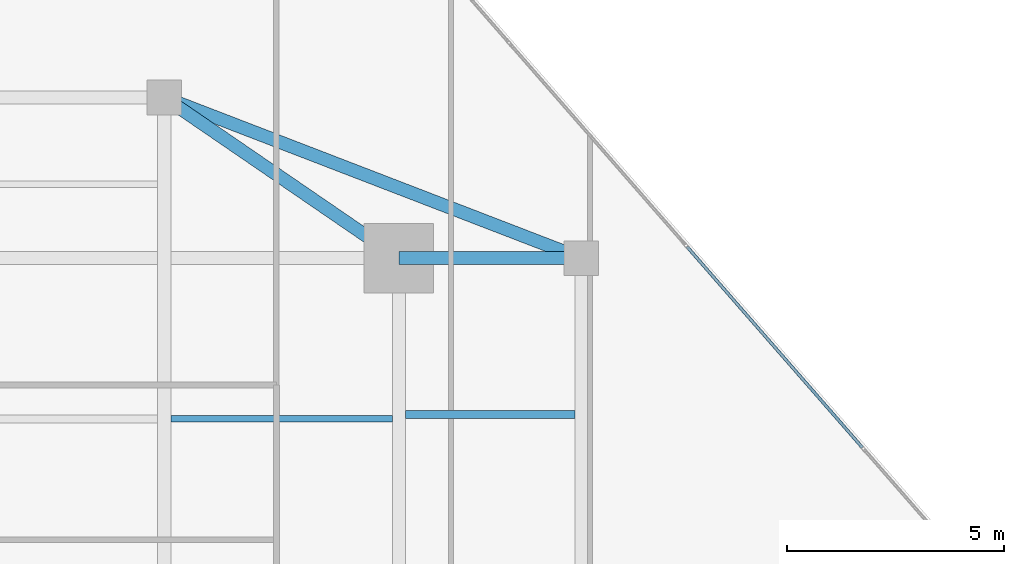
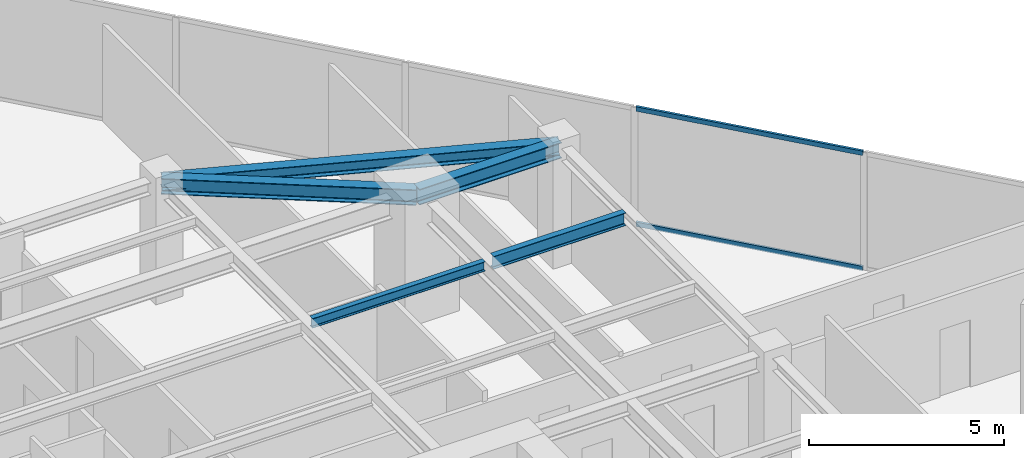
# One storey, part 17 of 24: 5 beams, 2 members, 1 element without a shape of its own.
"""IFC4 building model written with IfcOpenShell, lengths in metres."""

from ifc_helpers import new_model, si_unit, direction, frame, origin, origin_2d, place, context, subcontext, project, spatial, hollow_rectangle, i_section, extrude, source, transform, mapped, material, material_profile, profile_set, type_object, type_shapes, element, aggregate, save


model = new_model("IFC4")

# Units and contexts
model_context = context("Model", 3, precision=1e-05, world=origin(), true_north=direction((0.0, 1.0)))
body_context = subcontext(model_context, "Body", "Model", "MODEL_VIEW")
ifc_project = project(units=[si_unit("LENGTHUNIT", "METRE"), si_unit("AREAUNIT", "SQUARE_METRE"), si_unit("VOLUMEUNIT", "CUBIC_METRE"), si_unit("PLANEANGLEUNIT", "RADIAN"), si_unit("MASSUNIT", "GRAM", prefix="KILO")], contexts=[model_context])

# Site, building, storey
site_placement = place(None, origin())
site = spatial("IfcSite", under=ifc_project, at=site_placement, CompositionType="ELEMENT")
building_placement = place(site_placement, origin())
building = spatial("IfcBuilding", under=site, at=building_placement, Name="Krantzveldt Concourse Tower", CompositionType="ELEMENT")
storey_placement = place(building_placement, frame((0.0, 0.0, 254.699951171875)))
storey = spatial("IfcBuildingStorey", under=building, at=storey_placement, Name="L62", CompositionType="ELEMENT", Elevation=254.699951171875)

# Beams
ifc_material_1 = material(Name="Steel S355JR", Category="steel")
ifc_material_profile_1 = material_profile(ifc_material_1, i_section(OverallWidth=0.300048828125, OverallDepth=0.389892578125, WebThickness=0.010986328125, FlangeThickness=0.01904296875, FilletRadius=0.027099609375, at=origin_2d()), Name="Steel S355JR", Category="steel")
ifc_profile_set_1 = profile_set([ifc_material_profile_1], Name="Steel S355JR - HEA 400")
beam_type_1 = type_object("IfcBeamType", Name="BM-SP-HEA400", PredefinedType="SPANDREL", material=ifc_profile_set_1)
shared_shape_1 = source(origin(), body_context, "Body", "SweptSolid", [
    extrude(i_section(OverallWidth=0.300048828125, OverallDepth=0.389892578125, WebThickness=0.010986328125, FlangeThickness=0.01904296875, FilletRadius=0.027099609375, at=origin_2d()), origin(), (0.0, 0.0, 1.0), 10.288330078125),
])
type_shapes(beam_type_1, [shared_shape_1])
beam_1_placement = place(storey_placement, frame((41.39990234375, 41.199951171875, 3.47509765625), z_axis=(0.933097690408, -0.359622997257, 0.0), x_axis=(0.359622997257, 0.933097690408, 0.0)))
element("IfcBeam", 1, at=beam_1_placement, inside=storey, type_object=beam_type_1, Name="L62 Tower Girder SP-R05", PredefinedType="SPANDREL", context=body_context, shape_type="MappedRepresentation", body=[
    mapped(shared_shape_1, transform((0.0, 0.0, 0.0), x_axis=(1.0, 0.0, 0.0), y_axis=(0.0, 1.0, 0.0), z_axis=(0.0, 0.0, 1.0), scale=1.0)),
])
ifc_material_profile_2 = material_profile(ifc_material_1, i_section(OverallWidth=0.300048828125, OverallDepth=0.489990234375, WebThickness=0.011962890625, FlangeThickness=0.02294921875, FilletRadius=0.027099609375, at=origin_2d()), Name="Steel S355JR", Category="steel")
ifc_profile_set_2 = profile_set([ifc_material_profile_2], Name="Steel S355JR - HEA 500")
beam_type_2 = type_object("IfcBeamType", Name="BM-B-HEA500", PredefinedType="BEAM", material=ifc_profile_set_2)
shared_shape_2 = source(origin(), body_context, "Body", "SweptSolid", [
    extrude(i_section(OverallWidth=0.300048828125, OverallDepth=0.489990234375, WebThickness=0.011962890625, FlangeThickness=0.02294921875, FilletRadius=0.027099609375, at=origin_2d()), origin(), (0.0, 0.0, 1.0), 4.199951171875),
])
beam_2_placement = place(storey_placement, frame((46.800048828125, 37.5, 3.425048828125), z_axis=(1.0, 0.0, 0.0), x_axis=(0.0, 1.0, 0.0)))
element("IfcBeam", 2, at=beam_2_placement, inside=storey, type_object=beam_type_2, Name="L62 Tower Girder BR-RR3", PredefinedType="BEAM", context=body_context, shape_type="MappedRepresentation", body=[
    mapped(shared_shape_2, transform((0.0, 0.0, 0.0), x_axis=(1.0, 0.0, 0.0), y_axis=(0.0, 1.0, 0.0), z_axis=(0.0, 0.0, 1.0), scale=1.0)),
])
shared_shape_3 = source(origin(), body_context, "Body", "SweptSolid", [
    extrude(i_section(OverallWidth=0.300048828125, OverallDepth=0.489990234375, WebThickness=0.011962890625, FlangeThickness=0.02294921875, FilletRadius=0.027099609375, at=origin_2d()), origin(), (0.0, 0.0, 1.0), 6.546142578125),
])
type_shapes(beam_type_2, [shared_shape_2, shared_shape_3])
beam_3_placement = place(storey_placement, frame((46.800048828125, 37.5, 3.425048828125), z_axis=(-0.824942999484, 0.565215930068, 0.0), x_axis=(-0.565215930068, -0.824942999484, 0.0)))
element("IfcBeam", 3, at=beam_3_placement, inside=storey, type_object=beam_type_2, Name="L62 Tower Girder BR-RR4", PredefinedType="BEAM", context=body_context, shape_type="MappedRepresentation", body=[
    mapped(shared_shape_3, transform((0.0, 0.0, 0.0), x_axis=(1.0, 0.0, 0.0), y_axis=(0.0, 1.0, 0.0), z_axis=(0.0, 0.0, 1.0), scale=1.0)),
])
ifc_material_profile_3 = material_profile(ifc_material_1, i_section(OverallWidth=0.14990234375, OverallDepth=0.300048828125, WebThickness=0.007080078125, FlangeThickness=0.0107421875, FilletRadius=0.014892578125, at=origin_2d()), Name="Steel S355JR", Category="steel")
ifc_profile_set_3 = profile_set([ifc_material_profile_3], Name="Steel S355JR - IPE 300")
beam_type_3 = type_object("IfcBeamType", Name="BM-J-IPE300", PredefinedType="JOIST", material=ifc_profile_set_3)
shared_shape_4 = source(origin(), body_context, "Body", "SweptSolid", [
    extrude(i_section(OverallWidth=0.14990234375, OverallDepth=0.300048828125, WebThickness=0.007080078125, FlangeThickness=0.0107421875, FilletRadius=0.014892578125, at=origin_2d()), origin(), (0.0, 0.0, 1.0), 5.099853515625),
])
type_shapes(beam_type_3, [shared_shape_4])
beam_4_placement = place(storey_placement, frame((41.550048828125, 33.800048828125, 3.52001953125), z_axis=(1.0, 0.0, 0.0), x_axis=(0.0, 1.0, 0.0)))
element("IfcBeam", 4, at=beam_4_placement, inside=storey, type_object=beam_type_3, Name="L62 Secondary Floor Joist JN-E2", PredefinedType="JOIST", context=body_context, shape_type="MappedRepresentation", body=[
    mapped(shared_shape_4, transform((0.0, 0.0, 0.0), x_axis=(1.0, 0.0, 0.0), y_axis=(0.0, 1.0, 0.0), z_axis=(0.0, 0.0, 1.0), scale=1.0)),
])
ifc_material_profile_4 = material_profile(ifc_material_1, i_section(OverallWidth=0.179931640625, OverallDepth=0.39990234375, WebThickness=0.008544921875, FlangeThickness=0.013427734375, FilletRadius=0.02099609375, at=origin_2d()), Name="Steel S355JR", Category="steel")
ifc_profile_set_4 = profile_set([ifc_material_profile_4], Name="Steel S355JR - IPE 400")
beam_type_4 = type_object("IfcBeamType", Name="BM-J-IPE400", PredefinedType="JOIST", material=ifc_profile_set_4)
shared_shape_5 = source(origin(), body_context, "Body", "SweptSolid", [
    extrude(i_section(OverallWidth=0.179931640625, OverallDepth=0.39990234375, WebThickness=0.008544921875, FlangeThickness=0.013427734375, FilletRadius=0.02099609375, at=origin_2d()), origin(), (0.0, 0.0, 1.0), 3.900146484375),
])
type_shapes(beam_type_4, [shared_shape_5])
beam_5_placement = place(storey_placement, frame((46.949951171875, 33.89990234375, 3.469970703125), z_axis=(1.0, 0.0, 0.0), x_axis=(0.0, 1.0, 0.0)))
element("IfcBeam", 5, at=beam_5_placement, inside=storey, type_object=beam_type_4, Name="L62 Secondary Floor Joist JE-4", PredefinedType="JOIST", context=body_context, shape_type="MappedRepresentation", body=[
    mapped(shared_shape_5, transform((0.0, 0.0, 0.0), x_axis=(1.0, 0.0, 0.0), y_axis=(0.0, 1.0, 0.0), z_axis=(0.0, 0.0, 1.0), scale=1.0)),
])

# Curtain wall, members
ifc_material_2 = material(Name="Anodised aluminium 6063-T6", Category="aluminium")
curtain_wall_type = type_object("IfcCurtainWallType", Name="CW3", PredefinedType="USERDEFINED", material=ifc_material_2)
curtain_wall_placement = place(storey_placement, origin())
curtain_wall = element("IfcCurtainWall", 6, at=curtain_wall_placement, inside=storey, type_object=curtain_wall_type, Name="CW-L62-F10", ObjectType="UNITISED CURTAIN WALL", PredefinedType="USERDEFINED")
ifc_material_profile_5 = material_profile(ifc_material_2, hollow_rectangle(XDim=0.070068359375, YDim=0.139892578125, WallThickness=0.0048828125, at=origin_2d()), Name="Anodised aluminium 6063-T6", Category="aluminium")
ifc_profile_set_5 = profile_set([ifc_material_profile_5], Name="Anodised aluminium 6063-T6 - ALU-TRAN 140x70x5")
member_type = type_object("IfcMemberType", Name="CW-TRN-150", PredefinedType="USERDEFINED", material=ifc_profile_set_5)
shared_shape_6 = source(origin(), body_context, "Body", "SweptSolid", [
    extrude(hollow_rectangle(XDim=0.070068359375, YDim=0.139892578125, WallThickness=0.0048828125, at=origin_2d()), origin(), (0.0, 0.0, 1.0), 6.130126953125),
])
type_shapes(member_type, [shared_shape_6])
member_1_placement = place(storey_placement, frame((57.468017578125, 33.14453125, 0.03515625), z_axis=(-0.657697827635, 0.753281864593, 0.0), x_axis=(-0.753281864593, -0.657697827635, 0.0)))
member_1 = element("IfcMember", 7, at=member_1_placement, type_object=member_type, Name="CW-Z34 transom 2.1", ObjectType="TRANSOM", PredefinedType="USERDEFINED", context=body_context, shape_type="MappedRepresentation", body=[
    mapped(shared_shape_6, transform((0.0, 0.0, 0.0), x_axis=(1.0, 0.0, 0.0), y_axis=(0.0, 1.0, 0.0), z_axis=(0.0, 0.0, 1.0), scale=1.0)),
])
member_2_placement = place(storey_placement, frame((57.468017578125, 33.14453125, 3.635009765625), z_axis=(-0.657697827635, 0.753281864593, 0.0), x_axis=(-0.753281864593, -0.657697827635, 0.0)))
member_2 = element("IfcMember", 8, at=member_2_placement, type_object=member_type, Name="CW-Z34 transom 2.2", ObjectType="TRANSOM", PredefinedType="USERDEFINED", context=body_context, shape_type="MappedRepresentation", body=[
    mapped(shared_shape_6, transform((0.0, 0.0, 0.0), x_axis=(1.0, 0.0, 0.0), y_axis=(0.0, 1.0, 0.0), z_axis=(0.0, 0.0, 1.0), scale=1.0)),
])
aggregate(curtain_wall, [member_1, member_2])

save(model, "model.ifc")
